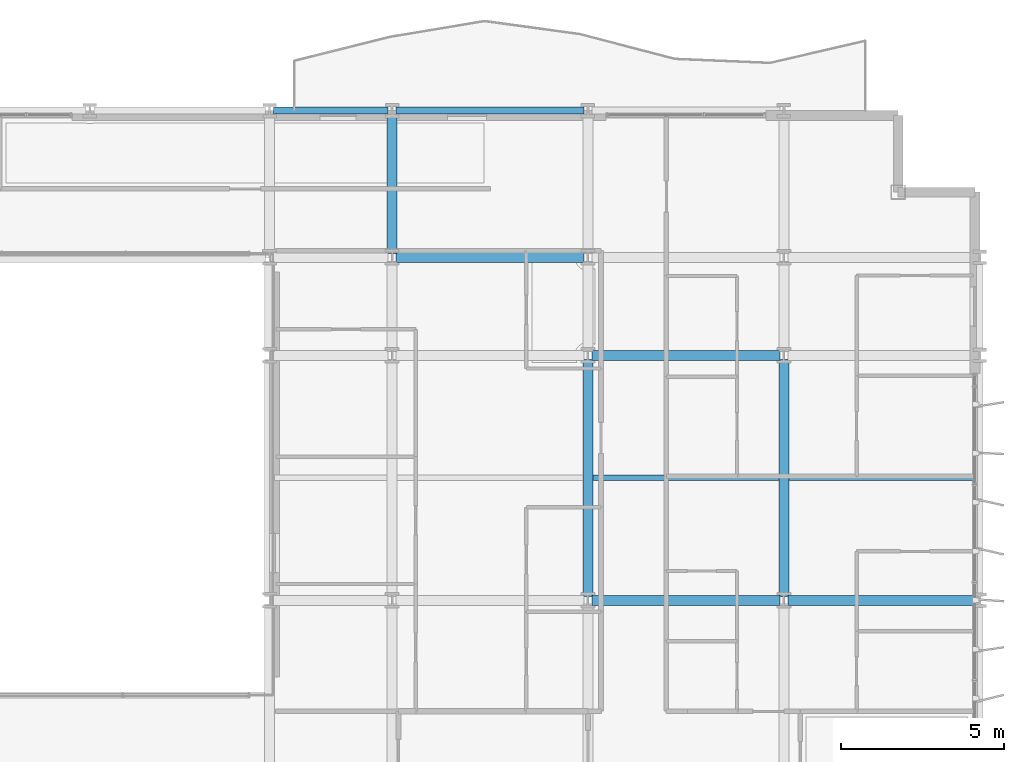
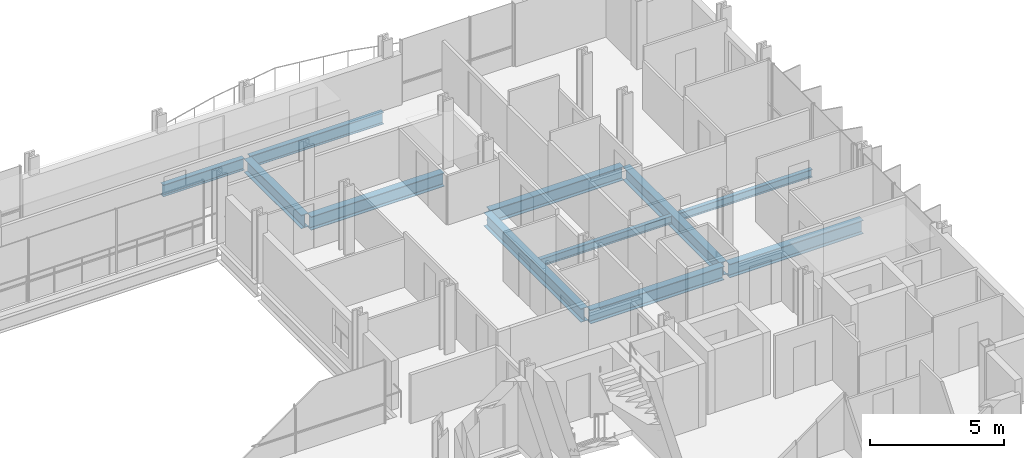
# One storey, part 18 of 39: 11 beams.
"""IFC4 building model written with IfcOpenShell, lengths in metres."""

import ifcopenshell
import ifcopenshell.guid

model = None  # the IFC model being written
_history = None  # IfcOwnerHistory: only IFC2X3 demands one
_inside = {}  # id of a spatial element -> (the spatial element, [elements in it])
_under = {}  # id of a project, library or spatial element -> (it, [spatial elements below it])
_declared = {}  # id of a project -> (the project, [libraries it declares])
_typed = {}  # id of a type object -> (the type object, [elements of that type])
_made_of = {}  # id of a material, layer set ... -> (it, [elements and type objects made of it])


def new_model(schema):
    """Start an empty IFC model of exactly this schema.

    Asked for "IFC4X3", IfcOpenShell would pick the latest addendum, in which some entities
    have other attributes; the version numbers below select the first issue.
    IFC2X3 requires an IfcOwnerHistory on every rooted entity: one is made here for all.
    """
    global model, _history
    if schema == "IFC4X3":
        model = ifcopenshell.file(schema_version=(4, 3, 0, 0))
    else:
        model = ifcopenshell.file(schema=schema)
    _inside.clear()
    _under.clear()
    _declared.clear()
    _typed.clear()
    _made_of.clear()
    _history = None
    if model.schema == "IFC2X3":
        org = make("IfcOrganization", Name="unknown")
        user = make(
            "IfcPersonAndOrganization",
            ThePerson=make("IfcPerson", FamilyName="unknown"),
            TheOrganization=org,
        )
        app = make(
            "IfcApplication",
            ApplicationDeveloper=org,
            Version="unknown",
            ApplicationFullName="unknown",
            ApplicationIdentifier="unknown",
        )
        _history = make(
            "IfcOwnerHistory",
            OwningUser=user,
            OwningApplication=app,
            ChangeAction="ADDED",
            CreationDate=0,
        )
    return model


def make(cls, **values):
    """One entity of the class cls with the attributes given. An attribute that is None is left unset."""
    return model.create_entity(
        cls, **{name: value for name, value in values.items() if value is not None}
    )


def rooted(cls, **values):
    """An entity with a GlobalId (a new one), such as an element, a storey or a relation."""
    return make(cls, GlobalId=ifcopenshell.guid.new(), OwnerHistory=_history, **values)


def si_unit(unit_type, name, prefix=None):
    """IfcSIUnit, for example si_unit("LENGTHUNIT", "METRE", prefix="MILLI")."""
    return make("IfcSIUnit", UnitType=unit_type, Prefix=prefix, Name=name)


def assignment(units):
    """IfcUnitAssignment: the units of a project."""
    return None if units is None else make("IfcUnitAssignment", Units=units)


def point(xyz):
    """IfcCartesianPoint."""
    return None if xyz is None else make("IfcCartesianPoint", Coordinates=xyz)


def direction(xyz):
    """IfcDirection."""
    return None if xyz is None else make("IfcDirection", DirectionRatios=xyz)


def frame(location, z_axis=None, x_axis=None):
    """IfcAxis2Placement3D, a coordinate frame: its origin and axes. An axis left out is left unset."""
    return make(
        "IfcAxis2Placement3D",
        Location=point(location),
        Axis=direction(z_axis),
        RefDirection=direction(x_axis),
    )


def frame_2d(location, x_axis=None):
    """IfcAxis2Placement2D, a coordinate frame in the plane: its origin and x axis."""
    return make(
        "IfcAxis2Placement2D", Location=point(location), RefDirection=direction(x_axis)
    )


def origin():
    """The frame at (0, 0, 0) with its axes left unset."""
    return frame((0.0, 0.0, 0.0))


def origin_2d():
    """The frame at (0, 0) in the plane with its x axis left unset."""
    return frame_2d((0.0, 0.0))


def place(relative_to, where):
    """IfcLocalPlacement: puts the frame where relative to a parent placement (None: the world)."""
    return make(
        "IfcLocalPlacement", PlacementRelTo=relative_to, RelativePlacement=where
    )


def context(
    kind, dimensions, precision=None, world=None, true_north=None, identifier=None
):
    """IfcGeometricRepresentationContext, for example the 3D "Model" context."""
    return make(
        "IfcGeometricRepresentationContext",
        ContextIdentifier=identifier,
        ContextType=kind,
        CoordinateSpaceDimension=dimensions,
        Precision=precision,
        WorldCoordinateSystem=world,
        TrueNorth=true_north,
    )


def subcontext(parent, identifier, kind, view, scale=None):
    """IfcGeometricRepresentationSubContext, for example "Body" below "Model"."""
    return make(
        "IfcGeometricRepresentationSubContext",
        ContextIdentifier=identifier,
        ContextType=kind,
        ParentContext=parent,
        TargetScale=scale,
        TargetView=view,
    )


def project(units=None, contexts=None):
    """IfcProject with its units and contexts."""
    return rooted(
        "IfcProject",
        Name="project",
        RepresentationContexts=contexts,
        UnitsInContext=assignment(units),
    )


def spatial(cls, under=None, at=None, **own):
    """A site, building, storey or space (cls), placed at a placement, below another one or the project."""
    s = rooted(cls, ObjectPlacement=at, **own)
    if under is not None:
        _under.setdefault(under.id(), (under, []))[1].append(s)
    return s


def profile(cls, at=None, kind="AREA", **sizes):
    """A parametric profile (cls). Its sizes go by their IFC names, for example OverallWidth=200.0."""
    return make(cls, ProfileType=kind, Position=at, **sizes)


def i_section(**sizes):
    """IfcIShapeProfileDef."""
    return profile("IfcIShapeProfileDef", **sizes)


def extrude(swept, where, along, depth):
    """IfcExtrudedAreaSolid: the profile swept, set in the frame where, extruded along a direction by depth."""
    return make(
        "IfcExtrudedAreaSolid",
        SweptArea=swept,
        Position=where,
        ExtrudedDirection=direction(along),
        Depth=depth,
    )


def shape(context_of_items, identifier, shape_type, items):
    """IfcShapeRepresentation: the items that make up one representation, for example the "Body"."""
    return make(
        "IfcShapeRepresentation",
        ContextOfItems=context_of_items,
        RepresentationIdentifier=identifier,
        RepresentationType=shape_type,
        Items=items,
    )


def material(Name=None, Category=None):
    """IfcMaterial."""
    return make("IfcMaterial", Name=Name, Category=Category)


def material_profile(
    of_material, cross_section, Name=None, Category=None, Priority=None
):
    """IfcMaterialProfile: a cross section and its material."""
    return make(
        "IfcMaterialProfile",
        Name=Name,
        Material=of_material,
        Profile=cross_section,
        Priority=Priority,
        Category=Category,
    )


def profile_set(profiles, Name=None, composite=None):
    """IfcMaterialProfileSet."""
    return make(
        "IfcMaterialProfileSet",
        Name=Name,
        MaterialProfiles=profiles,
        CompositeProfile=composite,
    )


def made_of(thing, what):
    """Note that an element or type object is made of a material, layer set ...; save() writes the relation."""
    if what is not None:
        _made_of.setdefault(what.id(), (what, []))[1].append(thing)
    return thing


def type_object(cls, material=None, **own):
    """A type object (cls), such as IfcWallType, which elements share."""
    return made_of(rooted(cls, **own), material)


def element(
    cls,
    number,
    at=None,
    inside=None,
    cuts=None,
    type_object=None,
    material=None,
    context=None,
    identifier="Body",
    shape_type=None,
    held_by="IfcProductDefinitionShape",
    body=None,
    shapes=None,
    **own,
):
    """One element of the class cls, such as IfcWall. Its Tag is "e" and its number.

    at: its placement. inside: the storey or other place that contains it. cuts: it is an
    opening in that element (IfcRelVoidsElement). A single representation is given by context,
    identifier, shape_type and body (its items); several are given by shapes. held_by: the class
    of the entity that holds the representations. save() writes the other relations.
    """
    e = rooted(cls, Tag="e%d" % number, ObjectPlacement=at, **own)
    if body is not None:
        shapes = [shape(context, identifier, shape_type, body)]
    if shapes is not None:
        e.Representation = make(held_by, Representations=shapes)
    if inside is not None:
        _inside.setdefault(inside.id(), (inside, []))[1].append(e)
    if cuts is not None:
        rooted(
            "IfcRelVoidsElement", RelatingBuildingElement=cuts, RelatedOpeningElement=e
        )
    if type_object is not None:
        _typed.setdefault(type_object.id(), (type_object, []))[1].append(e)
    return made_of(e, material)


def aggregate(whole, parts):
    """IfcRelAggregates: a whole, such as a stair, and the parts it consists of."""
    return rooted("IfcRelAggregates", RelatingObject=whole, RelatedObjects=parts)


def save(model, path):
    """Write the relations noted so far, then the file.

    IfcRelAggregates (storeys below a building ...), IfcRelContainedInSpatialStructure (elements
    in a storey), IfcRelDefinesByType, IfcRelAssociatesMaterial and IfcRelDeclares: one each for
    every whole, place, type object, material and project.
    """
    for whole, parts in _under.values():
        aggregate(whole, parts)
    for where, things in _inside.values():
        rooted(
            "IfcRelContainedInSpatialStructure",
            RelatedElements=things,
            RelatingStructure=where,
        )
    for kind, things in _typed.values():
        rooted("IfcRelDefinesByType", RelatedObjects=things, RelatingType=kind)
    for what, things in _made_of.values():
        rooted("IfcRelAssociatesMaterial", RelatedObjects=things, RelatingMaterial=what)
    for by, libraries in _declared.values():
        rooted("IfcRelDeclares", RelatingContext=by, RelatedDefinitions=libraries)
    model.write(path)


model = new_model("IFC4")

# Units and contexts
model_context = context("Model", 3, precision=1e-05, world=origin(), true_north=direction((0.0, 1.0)))
body_context = subcontext(model_context, "Body", "Model", "MODEL_VIEW")
ifc_project = project(units=[si_unit("LENGTHUNIT", "METRE"), si_unit("AREAUNIT", "SQUARE_METRE"), si_unit("VOLUMEUNIT", "CUBIC_METRE"), si_unit("PLANEANGLEUNIT", "RADIAN"), si_unit("MASSUNIT", "GRAM", prefix="KILO")], contexts=[model_context])

# Site, building, storey
site_placement = place(None, origin())
site = spatial("IfcSite", under=ifc_project, at=site_placement, CompositionType="ELEMENT")
building_placement = place(site_placement, origin())
building = spatial("IfcBuilding", under=site, at=building_placement, Name="Brevholm Reach", CompositionType="ELEMENT")
storey_placement = place(building_placement, frame((0.0, 0.0, 40.39990234375)))
storey = spatial("IfcBuildingStorey", under=building, at=storey_placement, Name="L10", CompositionType="ELEMENT", Elevation=40.39990234375)

# Beams
ifc_material_1 = material(Name="Structural Steel S355J2", Category="steel")
ifc_material_profile_1 = material_profile(ifc_material_1, i_section(OverallWidth=0.17138671875, OverallDepth=0.35498046875, WebThickness=0.00732421875, FlangeThickness=0.011474609375, FilletRadius=0.01025390625, at=origin_2d()), Name="UKB 356x171x51")
ifc_profile_set_1 = profile_set([ifc_material_profile_1], Name="Structural Steel S355J2")
beam_type_1 = type_object("IfcBeamType", Name="BM-B356", PredefinedType="BEAM", material=ifc_profile_set_1)
beam_1_placement = place(storey_placement, frame((48.153564453125, 19.75, -0.407470703125), z_axis=(1.0, 0.0, 0.0), x_axis=(0.0, 1.0, 0.0)))
element("IfcBeam", 1, at=beam_1_placement, inside=storey, type_object=beam_type_1, Name="L10 Composite Secondary Floor Beam", PredefinedType="BEAM", context=body_context, shape_type="SweptSolid", body=[
    extrude(i_section(OverallWidth=0.17138671875, OverallDepth=0.35498046875, WebThickness=0.00732421875, FlangeThickness=0.011474609375, FilletRadius=0.01025390625, at=origin_2d()), origin(), (0.0, 0.0, 1.0), 5.69287109375),
])
beam_2_placement = place(storey_placement, frame((54.153564453125, 19.75, -0.407470703125), z_axis=(1.0, 0.0, 0.0), x_axis=(0.0, 1.0, 0.0)))
element("IfcBeam", 2, at=beam_2_placement, inside=storey, type_object=beam_type_1, Name="L10 Composite Secondary Floor Beam", PredefinedType="BEAM", context=body_context, shape_type="SweptSolid", body=[
    extrude(i_section(OverallWidth=0.17138671875, OverallDepth=0.35498046875, WebThickness=0.00732421875, FlangeThickness=0.011474609375, FilletRadius=0.01025390625, at=origin_2d()), origin(), (0.0, 0.0, 1.0), 5.740966796875),
])
ifc_material_2 = material(Name="Structural Steel S355J2", Category="steel")
ifc_material_profile_2 = material_profile(ifc_material_2, i_section(OverallWidth=0.210693359375, OverallDepth=0.53955078125, WebThickness=0.01171875, FlangeThickness=0.018798828125, FilletRadius=0.0126953125, at=origin_2d()), Name="UKB 533x210x109")
ifc_profile_set_2 = profile_set([ifc_material_profile_2], Name="Structural Steel S355J2")
beam_type_2 = type_object("IfcBeamType", Name="BM-SP539", PredefinedType="SPANDREL", material=ifc_profile_set_2)
beam_3_placement = place(storey_placement, frame((38.3701171875, 31.0, -0.499755859375), z_axis=(1.0, 0.0, 0.0), x_axis=(0.0, 1.0, 0.0)))
element("IfcBeam", 3, at=beam_3_placement, inside=storey, type_object=beam_type_2, Name="L10 SP-01B Framing Beam", PredefinedType="SPANDREL", context=body_context, shape_type="SweptSolid", body=[
    extrude(i_section(OverallWidth=0.210693359375, OverallDepth=0.53955078125, WebThickness=0.01171875, FlangeThickness=0.018798828125, FilletRadius=0.0126953125, at=origin_2d()), origin(), (0.0, 0.0, 1.0), 3.509765625),
])
beam_4_placement = place(storey_placement, frame((42.1201171875, 31.0, -0.499755859375), z_axis=(1.0, 0.0, 0.0), x_axis=(0.0, 1.0, 0.0)))
element("IfcBeam", 4, at=beam_4_placement, inside=storey, type_object=beam_type_2, Name="L10 SP-01B Framing Beam", PredefinedType="SPANDREL", context=body_context, shape_type="SweptSolid", body=[
    extrude(i_section(OverallWidth=0.210693359375, OverallDepth=0.53955078125, WebThickness=0.01171875, FlangeThickness=0.018798828125, FilletRadius=0.0126953125, at=origin_2d()), origin(), (0.0, 0.0, 1.0), 5.759765625),
])
ifc_material_3 = material(Name="Structural Steel S355J2", Category="steel")
ifc_material_profile_3 = material_profile(ifc_material_3, i_section(OverallWidth=0.30712890625, OverallDepth=0.6201171875, WebThickness=0.01416015625, FlangeThickness=0.023681640625, FilletRadius=0.0166015625, at=origin_2d()), Name="UKB 610x305x179")
ifc_profile_set_3 = profile_set([ifc_material_profile_3], Name="Structural Steel S355J2")
beam_type_3 = type_object("IfcBeamType", Name="BM-UKB610H", PredefinedType="USERDEFINED", material=ifc_profile_set_3)
for number, where, z_axis, x_axis, name in (
    (5, (48.1201171875, 16.0, -0.5400390625), (1.0, 0.0, 0.0), (0.0, 1.0, 0.0), "L10 G-06 Framing Beam"),
    (6, (54.1201171875, 16.0, -0.5400390625), (1.0, 0.0, 0.0), (0.0, 1.0, 0.0), "L10 G-06 Framing Beam"),
    (7, (48.1201171875, 23.5, -0.5400390625), (1.0, 0.0, 0.0), (0.0, 1.0, 0.0), "L10 G-06 Framing Beam"),
    (8, (42.1201171875, 26.5, -0.5400390625), (1.0, 0.0, 0.0), (0.0, 1.0, 0.0), "L10 G-06 Framing Beam"),
):
    element("IfcBeam", number, at=place(storey_placement, frame(where, z_axis=z_axis, x_axis=x_axis)), inside=storey, type_object=beam_type_3, Name=name, ObjectType="GIRDER", PredefinedType="USERDEFINED", context=body_context, shape_type="SweptSolid", body=[
        extrude(i_section(OverallWidth=0.30712890625, OverallDepth=0.6201171875, WebThickness=0.01416015625, FlangeThickness=0.023681640625, FilletRadius=0.0166015625, at=origin_2d()), origin(), (0.0, 0.0, 1.0), 5.759765625),
    ])
beam_5_placement = place(storey_placement, frame((42.0, 26.6201171875, -0.5400390625), z_axis=(0.0, 1.0, 0.0), x_axis=(-1.0, 0.0, 0.0)))
element("IfcBeam", 9, at=beam_5_placement, inside=storey, type_object=beam_type_3, Name="L10 G-06 Framing Beam", ObjectType="GIRDER", PredefinedType="USERDEFINED", context=body_context, shape_type="SweptSolid", body=[
    extrude(i_section(OverallWidth=0.30712890625, OverallDepth=0.6201171875, WebThickness=0.01416015625, FlangeThickness=0.023681640625, FilletRadius=0.0166015625, at=origin_2d()), origin(), (0.0, 0.0, 1.0), 4.259765625),
])
for number, where, z_axis, x_axis, name in (
    (10, (48.0, 16.1201171875, -0.5400390625), (0.0, 1.0, 0.0), (-1.0, 0.0, 0.0), "L10 G-06 Framing Beam"),
    (11, (54.0, 16.1201171875, -0.5400390625), (0.0, 1.0, 0.0), (-1.0, 0.0, 0.0), "L10 G-06 Framing Beam"),
):
    element("IfcBeam", number, at=place(storey_placement, frame(where, z_axis=z_axis, x_axis=x_axis)), inside=storey, type_object=beam_type_3, Name=name, ObjectType="GIRDER", PredefinedType="USERDEFINED", context=body_context, shape_type="SweptSolid", body=[
        extrude(i_section(OverallWidth=0.30712890625, OverallDepth=0.6201171875, WebThickness=0.01416015625, FlangeThickness=0.023681640625, FilletRadius=0.0166015625, at=origin_2d()), origin(), (0.0, 0.0, 1.0), 7.259765625),
    ])

save(model, "model.ifc")
